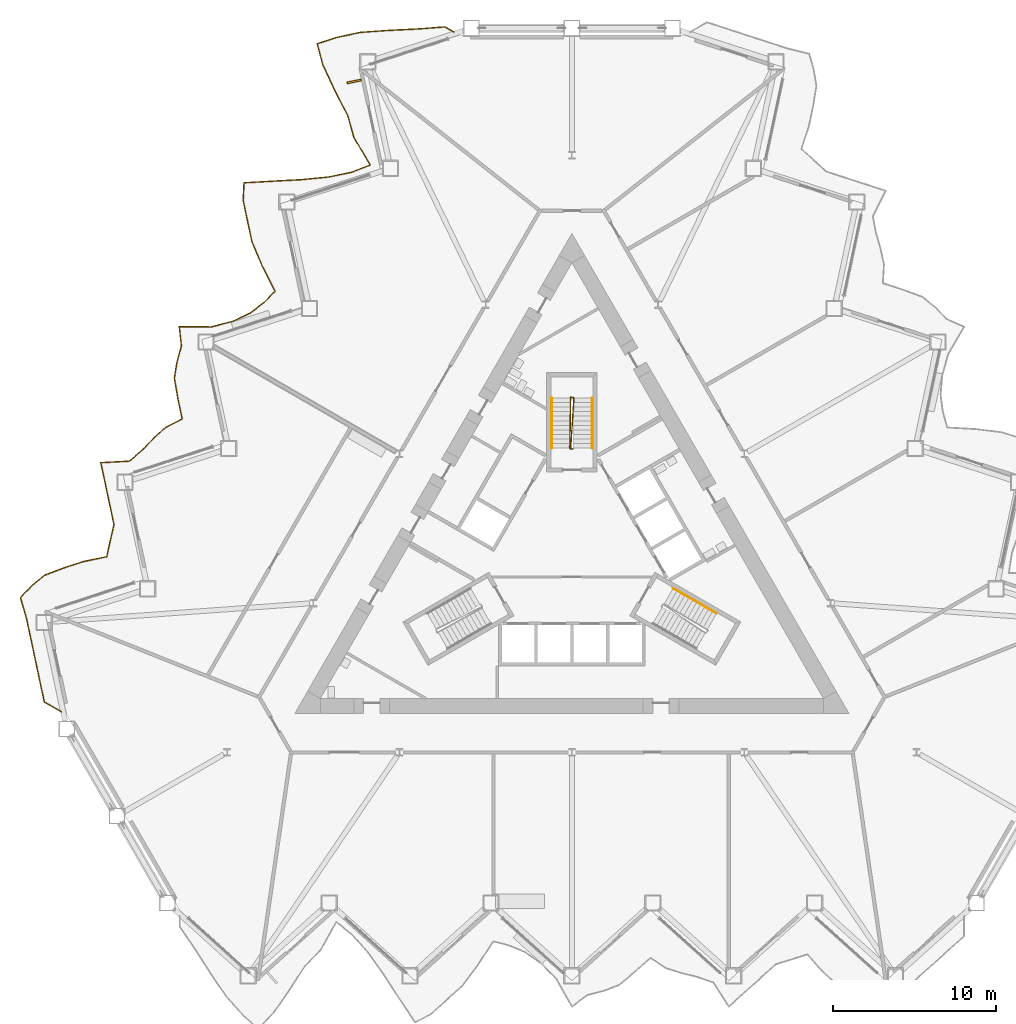
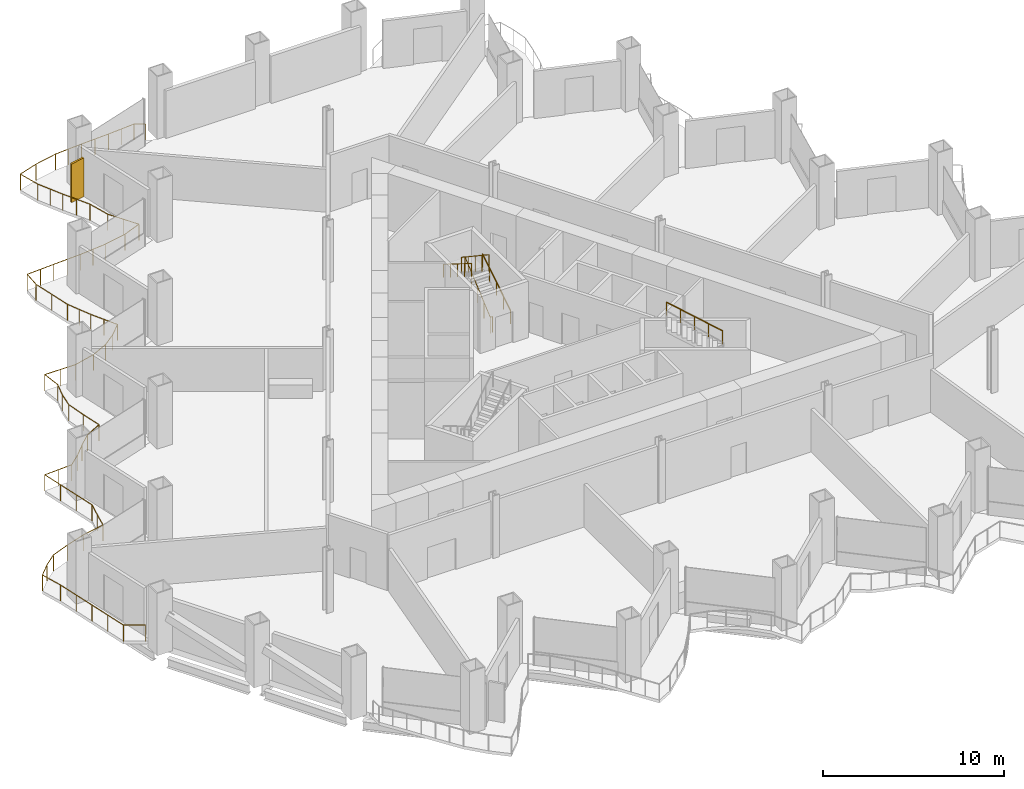
# One storey, part 17 of 20: 5 railings, 1 shading device.
"""IFC4 building model written with IfcOpenShell, lengths in metres."""

from ifc_helpers import new_model, si_unit, direction, frame, origin, origin_2d, place, context, subcontext, project, spatial, rectangle, circle, extrude, material, layer, layer_set, type_object, element, save


model = new_model("IFC4")

# Units and contexts
model_context = context("Model", 3, precision=1e-05, world=origin(), true_north=direction((0.0, 1.0)))
body_context = subcontext(model_context, "Body", "Model", "MODEL_VIEW")
ifc_project = project(units=[si_unit("LENGTHUNIT", "METRE"), si_unit("AREAUNIT", "SQUARE_METRE"), si_unit("VOLUMEUNIT", "CUBIC_METRE"), si_unit("PLANEANGLEUNIT", "RADIAN"), si_unit("MASSUNIT", "GRAM", prefix="KILO")], contexts=[model_context])

# Site, building, storey
site_placement = place(None, origin())
site = spatial("IfcSite", under=ifc_project, at=site_placement, CompositionType="ELEMENT")
building_placement = place(site_placement, origin())
building = spatial("IfcBuilding", under=site, at=building_placement, Name="Cormorant Prow Tower", CompositionType="ELEMENT")
storey_placement = place(building_placement, frame((0.0, 0.0, 34.199951171875)))
storey = spatial("IfcBuildingStorey", under=building, at=storey_placement, Name="L06", CompositionType="ELEMENT", Elevation=34.199951171875)

# Railings
ifc_material_1 = material(Name="Aluminium 6063-T6", Category="aluminium")
railing_type_1 = type_object("IfcRailingType", Name="Balcony guard 1100", PredefinedType="GUARDRAIL", material=ifc_material_1)
railing_1_placement = place(storey_placement, frame((-7.2412109375, 31.994873046875, 0.0)))
element("IfcRailing", 1, at=railing_1_placement, inside=storey, type_object=railing_type_1, Name="Balcony guard WNW", PredefinedType="GUARDRAIL", context=body_context, shape_type="SweptSolid", body=[
    extrude(circle(Radius=0.02392578125, at=origin_2d()), frame((0.0, 0.0, 1.076171875), z_axis=(-0.866038622153, 0.499977104415, 0.0), x_axis=(-0.499977104415, -0.866038622153, 0.0)), (0.0, 0.0, 1.0), 0.63623046875),
    extrude(circle(Radius=0.02392578125, at=origin_2d()), frame((-0.551025390625, 0.318115234375, 1.076171875), z_axis=(-0.997137955854, -0.075603551476, 0.0), x_axis=(0.075603551476, -0.997137955854, 0.0)), (0.0, 0.0, 1.0), 1.708251953125),
    extrude(circle(Radius=0.02392578125, at=origin_2d()), frame((-2.25439453125, 0.18896484375, 1.076171875), z_axis=(-0.998834064153, -0.048275379731, 0.0), x_axis=(0.048275379731, -0.998834064153, 0.0)), (0.0, 0.0, 1.0), 1.7802734375),
    extrude(circle(Radius=0.02392578125, at=origin_2d()), frame((-4.032470703125, 0.10302734375, 1.076171875), z_axis=(-0.997455815627, -0.071287417347, 0.0), x_axis=(0.071287417347, -0.997455815627, 0.0)), (0.0, 0.0, 1.0), 1.71923828125),
    extrude(circle(Radius=0.02392578125, at=origin_2d()), frame((-5.747314453125, -0.01953125, 1.076171875), z_axis=(-0.978400434543, -0.206718624429, 0.0), x_axis=(0.206718624429, -0.978400434543, 0.0)), (0.0, 0.0, 1.0), 1.442138671875),
    extrude(circle(Radius=0.02392578125, at=origin_2d()), frame((-7.158203125, -0.317626953125, 1.076171875), z_axis=(-0.951047907473, -0.309043488349, 0.0), x_axis=(0.309043488349, -0.951047907473, 0.0)), (0.0, 0.0, 1.0), 1.29638671875),
    extrude(circle(Radius=0.02392578125, at=origin_2d()), frame((-8.39111328125, -0.71826171875, 1.076171875), z_axis=(0.257159990866, -0.96636884216, 0.0), x_axis=(0.96636884216, 0.257159990866, 0.0)), (0.0, 0.0, 1.0), 1.3603515625),
    extrude(circle(Radius=0.02392578125, at=origin_2d()), frame((-8.041259765625, -2.032958984375, 1.076171875), z_axis=(0.424155213387, -0.905589506872, 0.0), x_axis=(0.905589506872, 0.424155213387, 0.0)), (0.0, 0.0, 1.0), 1.68359375),
    extrude(circle(Radius=0.02392578125, at=origin_2d()), frame((-7.3271484375, -3.5576171875, 1.076171875), z_axis=(0.456693053697, -0.889624333472, 0.0), x_axis=(0.889624333472, 0.456693053697, 0.0)), (0.0, 0.0, 1.0), 1.777587890625),
    extrude(circle(Radius=0.02392578125, at=origin_2d()), frame((-6.515380859375, -5.138916015625, 1.076171875), z_axis=(0.269616784072, -0.962967699223, 0.0), x_axis=(0.962967699223, 0.269616784072, 0.0)), (0.0, 0.0, 1.0), 1.378173828125),
    extrude(circle(Radius=0.02392578125, at=origin_2d()), frame((-6.143798828125, -6.466064453125, 1.076171875), z_axis=(0.510329465167, -0.859978974733, 0.0), x_axis=(0.859978974733, 0.510329465167, 0.0)), (0.0, 0.0, 1.0), 1.967529296875),
    extrude(circle(Radius=0.02392578125, at=origin_2d()), frame((-5.1396484375, -8.158203125, 1.076171875), z_axis=(-0.931726142955, -0.363161664462, 0.0), x_axis=(0.363161664462, -0.931726142955, 0.0)), (0.0, 0.0, 1.0), 1.23486328125),
    extrude(circle(Radius=0.02392578125, at=origin_2d()), frame((-6.290283203125, -8.606689453125, 1.076171875), z_axis=(-0.979843674417, -0.199765797133, 0.0), x_axis=(0.199765797133, -0.979843674417, 0.0)), (0.0, 0.0, 1.0), 1.453125),
    extrude(circle(Radius=0.02392578125, at=origin_2d()), frame((-7.714111328125, -8.89697265625, 1.076171875), z_axis=(-0.99527220185, -0.09712488983, 0.0), x_axis=(0.09712488983, -0.99527220185, 0.0)), (0.0, 0.0, 1.0), 1.656494140625),
    extrude(circle(Radius=0.02392578125, at=origin_2d()), frame((-9.36279296875, -9.057861328125, 1.076171875), z_axis=(-0.998654538049, -0.051856664315, 0.0), x_axis=(0.051856664315, -0.998654538049, 0.0)), (0.0, 0.0, 1.0), 1.770263671875),
    extrude(circle(Radius=0.02392578125, at=origin_2d()), frame((-11.130615234375, -9.149658203125, 1.076171875), z_axis=(-0.998331468628, -0.057743213865, 0.0), x_axis=(0.057743213865, -0.998331468628, 0.0)), (0.0, 0.0, 1.0), 1.754638671875),
    extrude(circle(Radius=0.02392578125, at=origin_2d()), frame((-12.88232421875, -9.2509765625, 1.076171875), z_axis=(-0.05261809748, -0.998614708392, 0.0), x_axis=(0.998614708392, -0.05261809748, 0.0)), (0.0, 0.0, 1.0), 1.0810546875),
    extrude(circle(Radius=0.02392578125, at=origin_2d()), frame((-12.939208984375, -10.33056640625, 1.076171875), z_axis=(0.20787001537, -0.978156458196, 0.0), x_axis=(0.978156458196, 0.20787001537, 0.0)), (0.0, 0.0, 1.0), 1.296630859375),
    extrude(circle(Radius=0.02392578125, at=origin_2d()), frame((-12.669677734375, -11.598876953125, 1.076171875), z_axis=(0.208050156932, -0.978118158609, 0.0), x_axis=(0.978118158609, 0.208050156932, 0.0)), (0.0, 0.0, 1.0), 1.296630859375),
    extrude(circle(Radius=0.02392578125, at=origin_2d()), frame((-12.39990234375, -12.8671875, 1.076171875), z_axis=(0.390714330931, -0.920511983412, 0.0), x_axis=(0.920511983412, 0.390714330931, 0.0)), (0.0, 0.0, 1.0), 1.600830078125),
    extrude(circle(Radius=0.02392578125, at=origin_2d()), frame((-11.7744140625, -14.3408203125, 1.076171875), z_axis=(0.450817608556, -0.892616089826, 0.0), x_axis=(0.892616089826, 0.450817608556, 0.0)), (0.0, 0.0, 1.0), 1.759521484375),
    extrude(circle(Radius=0.02392578125, at=origin_2d()), frame((-10.981201171875, -15.911376953125, 1.076171875), z_axis=(-0.704283053068, -0.709919277919, 0.0), x_axis=(0.709919277919, -0.704283053068, 0.0)), (0.0, 0.0, 1.0), 0.996337890625),
    extrude(circle(Radius=0.02392578125, at=origin_2d()), frame((-11.682861328125, -16.61865234375, 1.076171875), z_axis=(-0.794437483029, -0.607345935657, 0.0), x_axis=(0.607345935657, -0.794437483029, 0.0)), (0.0, 0.0, 1.0), 1.0439453125),
    extrude(circle(Radius=0.02392578125, at=origin_2d()), frame((-12.51220703125, -17.252685546875, 1.076171875), z_axis=(-0.903848140406, -0.427853408405, 0.0), x_axis=(0.427853408405, -0.903848140406, 0.0)), (0.0, 0.0, 1.0), 1.17138671875),
    extrude(circle(Radius=0.02392578125, at=origin_2d()), frame((-13.571044921875, -17.75390625, 1.076171875), z_axis=(-0.968439118805, -0.249250222004, 0.0), x_axis=(0.249250222004, -0.968439118805, 0.0)), (0.0, 0.0, 1.0), 1.376220703125),
    extrude(circle(Radius=0.02392578125, at=origin_2d()), frame((-14.90380859375, -18.096923828125, 1.076171875), z_axis=(-0.999969977608, 0.007748798727, 0.0), x_axis=(-0.007748798727, -0.999969977608, 0.0)), (0.0, 0.0, 1.0), 1.953369140625),
    extrude(circle(Radius=0.02392578125, at=origin_2d()), frame((-16.857177734375, -18.081787109375, 1.076171875), z_axis=(0.110991342038, -0.993821373282, 0.0), x_axis=(0.993821373282, 0.110991342038, 0.0)), (0.0, 0.0, 1.0), 1.196533203125),
    extrude(circle(Radius=0.02392578125, at=origin_2d()), frame((-16.724365234375, -19.27099609375, 1.076171875), z_axis=(-0.271897669737, -0.962326169857, 0.0), x_axis=(0.962326169857, -0.271897669737, 0.0)), (0.0, 0.0, 1.0), 0.993896484375),
    extrude(circle(Radius=0.02392578125, at=origin_2d()), frame((-16.99462890625, -20.2275390625, 1.076171875), z_axis=(-0.159671868834, -0.987170144556, 0.0), x_axis=(0.987170144556, -0.159671868834, 0.0)), (0.0, 0.0, 1.0), 1.030517578125),
    extrude(circle(Radius=0.02392578125, at=origin_2d()), frame((-17.1591796875, -21.244873046875, 1.076171875), z_axis=(0.168601333193, -0.985684325961, 0.0), x_axis=(0.985684325961, 0.168601333193, 0.0)), (0.0, 0.0, 1.0), 1.25244140625),
    extrude(circle(Radius=0.02392578125, at=origin_2d()), frame((-16.947998046875, -22.4794921875, 1.076171875), z_axis=(0.207908306761, -0.978148320031, 0.0), x_axis=(0.978148320031, 0.207908306761, 0.0)), (0.0, 0.0, 1.0), 1.29638671875),
    extrude(circle(Radius=0.02392578125, at=origin_2d()), frame((-16.678466796875, -23.74755859375, 1.076171875), z_axis=(-0.893067381261, -0.449922940654, 0.0), x_axis=(0.449922940654, -0.893067381261, 0.0)), (0.0, 0.0, 1.0), 1.152587890625),
    extrude(circle(Radius=0.02392578125, at=origin_2d()), frame((-17.707763671875, -24.26611328125, 1.076171875), z_axis=(-0.736220074978, -0.676742196999, 0.0), x_axis=(0.676742196999, -0.736220074978, 0.0)), (0.0, 0.0, 1.0), 1.009765625),
    extrude(circle(Radius=0.02392578125, at=origin_2d()), frame((-18.451171875, -24.949462890625, 1.076171875), z_axis=(-0.693698411975, -0.7202655852, 0.0), x_axis=(0.7202655852, -0.693698411975, 0.0)), (0.0, 0.0, 1.0), 0.992431640625),
    extrude(circle(Radius=0.02392578125, at=origin_2d()), frame((-19.1396484375, -25.664306640625, 1.076171875), z_axis=(-0.756683088923, -0.653781846596, 0.0), x_axis=(0.653781846596, -0.756683088923, 0.0)), (0.0, 0.0, 1.0), 1.020263671875),
    extrude(circle(Radius=0.02392578125, at=origin_2d()), frame((-19.91162109375, -26.331298828125, 1.076171875), z_axis=(-0.998559943322, -0.053647363335, 0.0), x_axis=(0.053647363335, -0.998559943322, 0.0)), (0.0, 0.0, 1.0), 1.765625),
    extrude(circle(Radius=0.02392578125, at=origin_2d()), frame((-21.6748046875, -26.426025390625, 1.076171875), z_axis=(0.208088478504, -0.978110006653, 0.0), x_axis=(0.978110006653, 0.208088478504, 0.0)), (0.0, 0.0, 1.0), 1.29638671875),
    extrude(circle(Radius=0.02392578125, at=origin_2d()), frame((-21.405029296875, -27.694091796875, 1.076171875), z_axis=(0.20787001537, -0.978156458196, 0.0), x_axis=(0.978156458196, 0.20787001537, 0.0)), (0.0, 0.0, 1.0), 1.296630859375),
    extrude(circle(Radius=0.02392578125, at=origin_2d()), frame((-21.135498046875, -28.96240234375, 1.076171875), z_axis=(0.207908306761, -0.978148320031, 0.0), x_axis=(0.978148320031, 0.207908306761, 0.0)), (0.0, 0.0, 1.0), 1.29638671875),
    extrude(circle(Radius=0.02392578125, at=origin_2d()), frame((-20.865966796875, -30.23046875, 1.076171875), z_axis=(-0.22693069724, -0.97391090899, 0.0), x_axis=(0.97391090899, -0.22693069724, 0.0)), (0.0, 0.0, 1.0), 1.007080078125),
    extrude(circle(Radius=0.02392578125, at=origin_2d()), frame((-21.094482421875, -31.211181640625, 1.076171875), z_axis=(-0.212379546317, -0.977187253451, 0.0), x_axis=(0.977187253451, -0.212379546317, 0.0)), (0.0, 0.0, 1.0), 1.01171875),
    extrude(circle(Radius=0.02392578125, at=origin_2d()), frame((-21.309326171875, -32.19970703125, 1.076171875), z_axis=(-0.979363993578, -0.202104349492, 0.0), x_axis=(0.202104349492, -0.979363993578, 0.0)), (0.0, 0.0, 1.0), 1.44970703125),
    extrude(circle(Radius=0.02392578125, at=origin_2d()), frame((-22.72900390625, -32.49267578125, 1.076171875), z_axis=(-0.951065889289, -0.308988145778, 0.0), x_axis=(0.308988145778, -0.951065889289, 0.0)), (0.0, 0.0, 1.0), 1.296630859375),
    extrude(circle(Radius=0.02392578125, at=origin_2d()), frame((-23.962158203125, -32.893310546875, 1.076171875), z_axis=(-0.934335057873, -0.356395846818, 0.0), x_axis=(0.356395846818, -0.934335057873, 0.0)), (0.0, 0.0, 1.0), 1.241943359375),
    extrude(circle(Radius=0.02392578125, at=origin_2d()), frame((-25.12255859375, -33.3359375, 1.076171875), z_axis=(-0.770474769236, -0.637470493412, 0.0), x_axis=(0.637470493412, -0.770474769236, 0.0)), (0.0, 0.0, 1.0), 1.02783203125),
    extrude(circle(Radius=0.02392578125, at=origin_2d()), frame((-25.91455078125, -33.9912109375, 1.076171875), z_axis=(-0.696211079774, -0.71783712108, 0.0), x_axis=(0.71783712108, -0.696211079774, 0.0)), (0.0, 0.0, 1.0), 0.993408203125),
    extrude(circle(Radius=0.02392578125, at=origin_2d()), frame((-26.606201171875, -34.704345703125, 1.076171875), z_axis=(0.276323671022, -0.961064633015, 0.0), x_axis=(0.961064633015, 0.276323671022, 0.0)), (0.0, 0.0, 1.0), 1.387939453125),
    extrude(circle(Radius=0.02392578125, at=origin_2d()), frame((-26.22265625, -36.038330078125, 1.076171875), z_axis=(0.20787001537, -0.978156458196, 0.0), x_axis=(0.978156458196, 0.20787001537, 0.0)), (0.0, 0.0, 1.0), 1.296630859375),
    extrude(circle(Radius=0.02392578125, at=origin_2d()), frame((-25.953125, -37.306640625, 1.076171875), z_axis=(0.207908306761, -0.978148320031, 0.0), x_axis=(0.978148320031, 0.207908306761, 0.0)), (0.0, 0.0, 1.0), 1.29638671875),
    extrude(circle(Radius=0.02392578125, at=origin_2d()), frame((-25.68359375, -38.57470703125, 1.076171875), z_axis=(0.20787001537, -0.978156458196, 0.0), x_axis=(0.978156458196, 0.20787001537, 0.0)), (0.0, 0.0, 1.0), 1.296630859375),
    extrude(circle(Radius=0.02392578125, at=origin_2d()), frame((-25.4140625, -39.843017578125, 1.076171875), z_axis=(0.208088478504, -0.978110006653, 0.0), x_axis=(0.978110006653, 0.208088478504, 0.0)), (0.0, 0.0, 1.0), 1.29638671875),
    extrude(circle(Radius=0.02392578125, at=origin_2d()), frame((-25.144287109375, -41.111083984375, 1.076171875), z_axis=(0.865955602162, -0.500120880472, 0.0), x_axis=(0.500120880472, 0.865955602162, 0.0)), (0.0, 0.0, 1.0), 1.219970703125),
    extrude(circle(Radius=0.02099609375, at=origin_2d()), origin(), (0.0, 0.0, 1.0), 1.052001953125),
    extrude(circle(Radius=0.02099609375, at=origin_2d()), frame((-0.551025390625, 0.318115234375, 0.0)), (0.0, 0.0, 1.0), 1.052001953125),
    extrude(circle(Radius=0.02099609375, at=origin_2d()), frame((-1.40283203125, 0.25341796875, 0.0)), (0.0, 0.0, 1.0), 1.052001953125),
    extrude(circle(Radius=0.02099609375, at=origin_2d()), frame((-2.25439453125, 0.18896484375, 0.0)), (0.0, 0.0, 1.0), 1.052001953125),
    extrude(circle(Radius=0.02099609375, at=origin_2d()), frame((-3.1435546875, 0.14599609375, 0.0)), (0.0, 0.0, 1.0), 1.052001953125),
    extrude(circle(Radius=0.02099609375, at=origin_2d()), frame((-4.032470703125, 0.10302734375, 0.0)), (0.0, 0.0, 1.0), 1.052001953125),
    extrude(circle(Radius=0.02099609375, at=origin_2d()), frame((-4.889892578125, 0.041748046875, 0.0)), (0.0, 0.0, 1.0), 1.052001953125),
    extrude(circle(Radius=0.02099609375, at=origin_2d()), frame((-5.747314453125, -0.01953125, 0.0)), (0.0, 0.0, 1.0), 1.052001953125),
    extrude(circle(Radius=0.02099609375, at=origin_2d()), frame((-7.158203125, -0.317626953125, 0.0)), (0.0, 0.0, 1.0), 1.052001953125),
    extrude(circle(Radius=0.02099609375, at=origin_2d()), frame((-8.39111328125, -0.71826171875, 0.0)), (0.0, 0.0, 1.0), 1.052001953125),
    extrude(circle(Radius=0.02099609375, at=origin_2d()), frame((-8.041259765625, -2.032958984375, 0.0)), (0.0, 0.0, 1.0), 1.052001953125),
    extrude(circle(Radius=0.02099609375, at=origin_2d()), frame((-7.68408203125, -2.79541015625, 0.0)), (0.0, 0.0, 1.0), 1.052001953125),
    extrude(circle(Radius=0.02099609375, at=origin_2d()), frame((-7.3271484375, -3.5576171875, 0.0)), (0.0, 0.0, 1.0), 1.052001953125),
    extrude(circle(Radius=0.02099609375, at=origin_2d()), frame((-6.92138671875, -4.34814453125, 0.0)), (0.0, 0.0, 1.0), 1.052001953125),
    extrude(circle(Radius=0.02099609375, at=origin_2d()), frame((-6.515380859375, -5.138916015625, 0.0)), (0.0, 0.0, 1.0), 1.052001953125),
    extrude(circle(Radius=0.02099609375, at=origin_2d()), frame((-6.143798828125, -6.466064453125, 0.0)), (0.0, 0.0, 1.0), 1.052001953125),
    extrude(circle(Radius=0.02099609375, at=origin_2d()), frame((-5.6416015625, -7.31201171875, 0.0)), (0.0, 0.0, 1.0), 1.052001953125),
    extrude(circle(Radius=0.02099609375, at=origin_2d()), frame((-5.1396484375, -8.158203125, 0.0)), (0.0, 0.0, 1.0), 1.052001953125),
    extrude(circle(Radius=0.02099609375, at=origin_2d()), frame((-6.290283203125, -8.606689453125, 0.0)), (0.0, 0.0, 1.0), 1.052001953125),
    extrude(circle(Radius=0.02099609375, at=origin_2d()), frame((-7.714111328125, -8.89697265625, 0.0)), (0.0, 0.0, 1.0), 1.052001953125),
    extrude(circle(Radius=0.02099609375, at=origin_2d()), frame((-8.53857421875, -8.9775390625, 0.0)), (0.0, 0.0, 1.0), 1.052001953125),
    extrude(circle(Radius=0.02099609375, at=origin_2d()), frame((-9.36279296875, -9.057861328125, 0.0)), (0.0, 0.0, 1.0), 1.052001953125),
    extrude(circle(Radius=0.02099609375, at=origin_2d()), frame((-10.24658203125, -9.103759765625, 0.0)), (0.0, 0.0, 1.0), 1.052001953125),
    extrude(circle(Radius=0.02099609375, at=origin_2d()), frame((-11.130615234375, -9.149658203125, 0.0)), (0.0, 0.0, 1.0), 1.052001953125),
    extrude(circle(Radius=0.02099609375, at=origin_2d()), frame((-12.00634765625, -9.2001953125, 0.0)), (0.0, 0.0, 1.0), 1.052001953125),
    extrude(circle(Radius=0.02099609375, at=origin_2d()), frame((-12.88232421875, -9.2509765625, 0.0)), (0.0, 0.0, 1.0), 1.052001953125),
    extrude(circle(Radius=0.02099609375, at=origin_2d()), frame((-12.939208984375, -10.33056640625, 0.0)), (0.0, 0.0, 1.0), 1.052001953125),
    extrude(circle(Radius=0.02099609375, at=origin_2d()), frame((-12.669677734375, -11.598876953125, 0.0)), (0.0, 0.0, 1.0), 1.052001953125),
    extrude(circle(Radius=0.02099609375, at=origin_2d()), frame((-12.39990234375, -12.8671875, 0.0)), (0.0, 0.0, 1.0), 1.052001953125),
    extrude(circle(Radius=0.02099609375, at=origin_2d()), frame((-12.087158203125, -13.60400390625, 0.0)), (0.0, 0.0, 1.0), 1.052001953125),
    extrude(circle(Radius=0.02099609375, at=origin_2d()), frame((-11.7744140625, -14.3408203125, 0.0)), (0.0, 0.0, 1.0), 1.052001953125),
    extrude(circle(Radius=0.02099609375, at=origin_2d()), frame((-11.3779296875, -15.1259765625, 0.0)), (0.0, 0.0, 1.0), 1.052001953125),
    extrude(circle(Radius=0.02099609375, at=origin_2d()), frame((-10.981201171875, -15.911376953125, 0.0)), (0.0, 0.0, 1.0), 1.052001953125),
    extrude(circle(Radius=0.02099609375, at=origin_2d()), frame((-11.682861328125, -16.61865234375, 0.0)), (0.0, 0.0, 1.0), 1.052001953125),
    extrude(circle(Radius=0.02099609375, at=origin_2d()), frame((-12.51220703125, -17.252685546875, 0.0)), (0.0, 0.0, 1.0), 1.052001953125),
    extrude(circle(Radius=0.02099609375, at=origin_2d()), frame((-13.571044921875, -17.75390625, 0.0)), (0.0, 0.0, 1.0), 1.052001953125),
    extrude(circle(Radius=0.02099609375, at=origin_2d()), frame((-14.90380859375, -18.096923828125, 0.0)), (0.0, 0.0, 1.0), 1.052001953125),
    extrude(circle(Radius=0.02099609375, at=origin_2d()), frame((-15.88037109375, -18.08935546875, 0.0)), (0.0, 0.0, 1.0), 1.052001953125),
    extrude(circle(Radius=0.02099609375, at=origin_2d()), frame((-16.857177734375, -18.081787109375, 0.0)), (0.0, 0.0, 1.0), 1.052001953125),
    extrude(circle(Radius=0.02099609375, at=origin_2d()), frame((-16.724365234375, -19.27099609375, 0.0)), (0.0, 0.0, 1.0), 1.052001953125),
    extrude(circle(Radius=0.02099609375, at=origin_2d()), frame((-16.99462890625, -20.2275390625, 0.0)), (0.0, 0.0, 1.0), 1.052001953125),
    extrude(circle(Radius=0.02099609375, at=origin_2d()), frame((-17.1591796875, -21.244873046875, 0.0)), (0.0, 0.0, 1.0), 1.052001953125),
    extrude(circle(Radius=0.02099609375, at=origin_2d()), frame((-16.947998046875, -22.4794921875, 0.0)), (0.0, 0.0, 1.0), 1.052001953125),
    extrude(circle(Radius=0.02099609375, at=origin_2d()), frame((-16.678466796875, -23.74755859375, 0.0)), (0.0, 0.0, 1.0), 1.052001953125),
    extrude(circle(Radius=0.02099609375, at=origin_2d()), frame((-17.707763671875, -24.26611328125, 0.0)), (0.0, 0.0, 1.0), 1.052001953125),
    extrude(circle(Radius=0.02099609375, at=origin_2d()), frame((-18.451171875, -24.949462890625, 0.0)), (0.0, 0.0, 1.0), 1.052001953125),
    extrude(circle(Radius=0.02099609375, at=origin_2d()), frame((-19.1396484375, -25.664306640625, 0.0)), (0.0, 0.0, 1.0), 1.052001953125),
    extrude(circle(Radius=0.02099609375, at=origin_2d()), frame((-19.91162109375, -26.331298828125, 0.0)), (0.0, 0.0, 1.0), 1.052001953125),
    extrude(circle(Radius=0.02099609375, at=origin_2d()), frame((-20.793212890625, -26.378662109375, 0.0)), (0.0, 0.0, 1.0), 1.052001953125),
    extrude(circle(Radius=0.02099609375, at=origin_2d()), frame((-21.6748046875, -26.426025390625, 0.0)), (0.0, 0.0, 1.0), 1.052001953125),
    extrude(circle(Radius=0.02099609375, at=origin_2d()), frame((-21.405029296875, -27.694091796875, 0.0)), (0.0, 0.0, 1.0), 1.052001953125),
    extrude(circle(Radius=0.02099609375, at=origin_2d()), frame((-21.135498046875, -28.96240234375, 0.0)), (0.0, 0.0, 1.0), 1.052001953125),
    extrude(circle(Radius=0.02099609375, at=origin_2d()), frame((-20.865966796875, -30.23046875, 0.0)), (0.0, 0.0, 1.0), 1.052001953125),
    extrude(circle(Radius=0.02099609375, at=origin_2d()), frame((-21.094482421875, -31.211181640625, 0.0)), (0.0, 0.0, 1.0), 1.052001953125),
    extrude(circle(Radius=0.02099609375, at=origin_2d()), frame((-21.309326171875, -32.19970703125, 0.0)), (0.0, 0.0, 1.0), 1.052001953125),
    extrude(circle(Radius=0.02099609375, at=origin_2d()), frame((-22.72900390625, -32.49267578125, 0.0)), (0.0, 0.0, 1.0), 1.052001953125),
    extrude(circle(Radius=0.02099609375, at=origin_2d()), frame((-23.962158203125, -32.893310546875, 0.0)), (0.0, 0.0, 1.0), 1.052001953125),
    extrude(circle(Radius=0.02099609375, at=origin_2d()), frame((-25.12255859375, -33.3359375, 0.0)), (0.0, 0.0, 1.0), 1.052001953125),
    extrude(circle(Radius=0.02099609375, at=origin_2d()), frame((-25.91455078125, -33.9912109375, 0.0)), (0.0, 0.0, 1.0), 1.052001953125),
    extrude(circle(Radius=0.02099609375, at=origin_2d()), frame((-26.606201171875, -34.704345703125, 0.0)), (0.0, 0.0, 1.0), 1.052001953125),
    extrude(circle(Radius=0.02099609375, at=origin_2d()), frame((-26.22265625, -36.038330078125, 0.0)), (0.0, 0.0, 1.0), 1.052001953125),
    extrude(circle(Radius=0.02099609375, at=origin_2d()), frame((-25.953125, -37.306640625, 0.0)), (0.0, 0.0, 1.0), 1.052001953125),
    extrude(circle(Radius=0.02099609375, at=origin_2d()), frame((-25.68359375, -38.57470703125, 0.0)), (0.0, 0.0, 1.0), 1.052001953125),
    extrude(circle(Radius=0.02099609375, at=origin_2d()), frame((-25.4140625, -39.843017578125, 0.0)), (0.0, 0.0, 1.0), 1.052001953125),
    extrude(circle(Radius=0.02099609375, at=origin_2d()), frame((-25.144287109375, -41.111083984375, 0.0)), (0.0, 0.0, 1.0), 1.052001953125),
    extrude(circle(Radius=0.02099609375, at=origin_2d()), frame((-24.087890625, -41.72119140625, 0.0)), (0.0, 0.0, 1.0), 1.052001953125),
])
ifc_material_2 = material(Name="Stainless steel", Category="steel")
railing_type_2 = type_object("IfcRailingType", Name="Stair guard 1100", PredefinedType="GUARDRAIL", material=ifc_material_2)
railing_2_placement = place(storey_placement, frame((0.074951171875, 6.40576171875, 0.0)))
element("IfcRailing", 2, at=railing_2_placement, inside=storey, type_object=railing_type_2, Name="L06 ST3 stair guard 1", PredefinedType="GUARDRAIL", context=body_context, shape_type="SweptSolid", body=[
    extrude(circle(Radius=0.02392578125, at=origin_2d()), frame((0.0, 0.0, 1.076171875), z_axis=(-1.0, 0.0, 0.0), x_axis=(0.0, -1.0, 0.0)), (0.0, 0.0, 1.0), 0.14990234375),
    extrude(circle(Radius=0.02392578125, at=origin_2d()), frame((-0.14990234375, 0.0, 1.076171875), z_axis=(0.052971918151, 0.829246596605, 0.556366837532), x_axis=(-0.997965923181, 0.063749636618, 0.0)), (0.0, 0.0, 1.0), 3.774658203125),
    extrude(circle(Radius=0.02392578125, at=origin_2d()), frame((0.050048828125, 3.130126953125, 3.17626953125), z_axis=(-0.970072785993, 0.242814311512, 0.0), x_axis=(-0.242814311512, -0.970072785993, 0.0)), (0.0, 0.0, 1.0), 0.2060546875),
    extrude(circle(Radius=0.02392578125, at=origin_2d()), frame((-0.14990234375, 3.18017578125, 3.17626953125), z_axis=(-0.013277099958, -0.830369261271, 0.557055301162), x_axis=(0.999872194171, -0.015987348866, 0.0)), (0.0, 0.0, 1.0), 3.76953125),
    extrude(circle(Radius=0.02099609375, at=origin_2d()), origin(), (0.0, 0.0, 1.0), 1.052001953125),
    extrude(circle(Radius=0.02099609375, at=origin_2d()), frame((-0.14990234375, 0.0, 0.0)), (0.0, 0.0, 1.0), 1.052001953125),
    extrude(circle(Radius=0.02099609375, at=origin_2d()), frame((-0.099853515625, 0.782470703125, 0.52490234375)), (0.0, 0.0, 1.0), 1.052001953125),
    extrude(circle(Radius=0.02099609375, at=origin_2d()), frame((-0.0498046875, 1.56494140625, 1.050048828125)), (0.0, 0.0, 1.0), 1.052001953125),
    extrude(circle(Radius=0.02099609375, at=origin_2d()), frame((0.0, 2.34765625, 1.5751953125)), (0.0, 0.0, 1.0), 1.052001953125),
    extrude(circle(Radius=0.02099609375, at=origin_2d()), frame((0.050048828125, 3.130126953125, 2.10009765625)), (0.0, 0.0, 1.0), 1.052001953125),
    extrude(circle(Radius=0.02099609375, at=origin_2d()), frame((-0.14990234375, 3.18017578125, 2.10009765625)), (0.0, 0.0, 1.0), 1.052001953125),
    extrude(circle(Radius=0.02099609375, at=origin_2d()), frame((-0.162353515625, 2.397705078125, 2.625)), (0.0, 0.0, 1.0), 1.052001953125),
    extrude(circle(Radius=0.02099609375, at=origin_2d()), frame((-0.1748046875, 1.615234375, 3.14990234375)), (0.0, 0.0, 1.0), 1.052001953125),
    extrude(circle(Radius=0.02099609375, at=origin_2d()), frame((-0.1875, 0.83251953125, 3.675048828125)), (0.0, 0.0, 1.0), 1.052001953125),
    extrude(circle(Radius=0.02099609375, at=origin_2d()), frame((-0.199951171875, 0.050048828125, 4.199951171875)), (0.0, 0.0, 1.0), 1.052001953125),
])
ifc_material_3 = material(Name="Stainless steel", Category="steel")
railing_type_3 = type_object("IfcRailingType", Name="Stair handrail 900", PredefinedType="HANDRAIL", material=ifc_material_3)
railing_3_placement = place(storey_placement, frame((8.88037109375, -3.690673828125, 2.275146484375)))
element("IfcRailing", 3, at=railing_3_placement, inside=storey, type_object=railing_type_3, Name="L06 ST2 stair handrail 2", PredefinedType="HANDRAIL", context=body_context, shape_type="SweptSolid", body=[
    extrude(circle(Radius=0.02392578125, at=origin_2d()), frame((0.0, 0.0, 0.8759765625), z_axis=(-0.734421155904, 0.424009578203, 0.529944755001), x_axis=(-0.499992328818, -0.866029832698, 0.0)), (0.0, 0.0, 1.0), 3.632080078125),
    extrude(circle(Radius=0.02099609375, at=origin_2d()), origin(), (0.0, 0.0, 1.0), 0.851806640625),
    extrude(circle(Radius=0.02099609375, at=origin_2d()), frame((-0.6669921875, 0.385009765625, 0.481201171875)), (0.0, 0.0, 1.0), 0.851806640625),
    extrude(circle(Radius=0.02099609375, at=origin_2d()), frame((-1.333740234375, 0.77001953125, 0.96240234375)), (0.0, 0.0, 1.0), 0.851806640625),
    extrude(circle(Radius=0.02099609375, at=origin_2d()), frame((-2.00048828125, 1.155029296875, 1.443603515625)), (0.0, 0.0, 1.0), 0.851806640625),
    extrude(circle(Radius=0.02099609375, at=origin_2d()), frame((-2.66748046875, 1.5400390625, 1.9248046875)), (0.0, 0.0, 1.0), 0.851806640625),
])
railing_4_placement = place(storey_placement, frame((1.243896484375, 6.455810546875, 0.175048828125)))
element("IfcRailing", 4, at=railing_4_placement, inside=storey, type_object=railing_type_3, Name="L06 ST3 stair handrail 1", PredefinedType="HANDRAIL", context=body_context, shape_type="SweptSolid", body=[
    extrude(circle(Radius=0.02392578125, at=origin_2d()), frame((0.0, 0.0, 0.8759765625), z_axis=(0.0, 0.847998304005, 0.529998940003), x_axis=(-1.0, 0.0, 0.0)), (0.0, 0.0, 1.0), 3.632080078125),
    extrude(circle(Radius=0.02099609375, at=origin_2d()), origin(), (0.0, 0.0, 1.0), 0.851806640625),
    extrude(circle(Radius=0.02099609375, at=origin_2d()), frame((0.0, 0.77001953125, 0.481201171875)), (0.0, 0.0, 1.0), 0.851806640625),
    extrude(circle(Radius=0.02099609375, at=origin_2d()), frame((0.0, 1.5400390625, 0.96240234375)), (0.0, 0.0, 1.0), 0.851806640625),
    extrude(circle(Radius=0.02099609375, at=origin_2d()), frame((0.0, 2.31005859375, 1.44384765625)), (0.0, 0.0, 1.0), 0.851806640625),
    extrude(circle(Radius=0.02099609375, at=origin_2d()), frame((0.0, 3.080078125, 1.925048828125)), (0.0, 0.0, 1.0), 0.851806640625),
])
railing_5_placement = place(storey_placement, frame((-1.243896484375, 9.535888671875, 2.275146484375)))
element("IfcRailing", 5, at=railing_5_placement, inside=storey, type_object=railing_type_3, Name="L06 ST3 stair handrail 2", PredefinedType="HANDRAIL", context=body_context, shape_type="SweptSolid", body=[
    extrude(circle(Radius=0.02392578125, at=origin_2d()), frame((0.0, 0.0, 0.8759765625), z_axis=(0.0, -0.848028513186, 0.529950602248), x_axis=(1.0, 0.0, 0.0)), (0.0, 0.0, 1.0), 3.632080078125),
    extrude(circle(Radius=0.02099609375, at=origin_2d()), origin(), (0.0, 0.0, 1.0), 0.851806640625),
    extrude(circle(Radius=0.02099609375, at=origin_2d()), frame((0.0, -0.77001953125, 0.481201171875)), (0.0, 0.0, 1.0), 0.851806640625),
    extrude(circle(Radius=0.02099609375, at=origin_2d()), frame((0.0, -1.5400390625, 0.96240234375)), (0.0, 0.0, 1.0), 0.851806640625),
    extrude(circle(Radius=0.02099609375, at=origin_2d()), frame((0.0, -2.31005859375, 1.443603515625)), (0.0, 0.0, 1.0), 0.851806640625),
    extrude(circle(Radius=0.02099609375, at=origin_2d()), frame((0.0, -3.080078125, 1.9248046875)), (0.0, 0.0, 1.0), 0.851806640625),
])

# Shading device
ifc_material_4 = material(Name="Terracotta", Category="masonry")
ifc_layer = layer(ifc_material_4, 0.1201171875)
ifc_layer_set = layer_set([ifc_layer], Name="Terracotta")
shading_device_type = type_object("IfcShadingDeviceType", Name="Terracotta baguette fin 120x900x2600", PredefinedType="USERDEFINED", material=ifc_layer_set)
shading_device_placement = place(storey_placement, frame((-13.359130859375, 28.9619140625, 0.0), z_axis=(0.0, 0.0, 1.0), x_axis=(0.207911761683, -0.978147585671, 0.0)))
element("IfcShadingDevice", 6, at=shading_device_placement, inside=storey, type_object=shading_device_type, Name="Baguette fin WNW01", ObjectType="BAGUETTE", PredefinedType="USERDEFINED", context=body_context, shape_type="SweptSolid", body=[
    extrude(rectangle(XDim=0.1201171875, YDim=0.89990234375, at=origin_2d()), origin(), (0.0, 0.0, 1.0), 2.60009765625),
])

save(model, "model.ifc")
